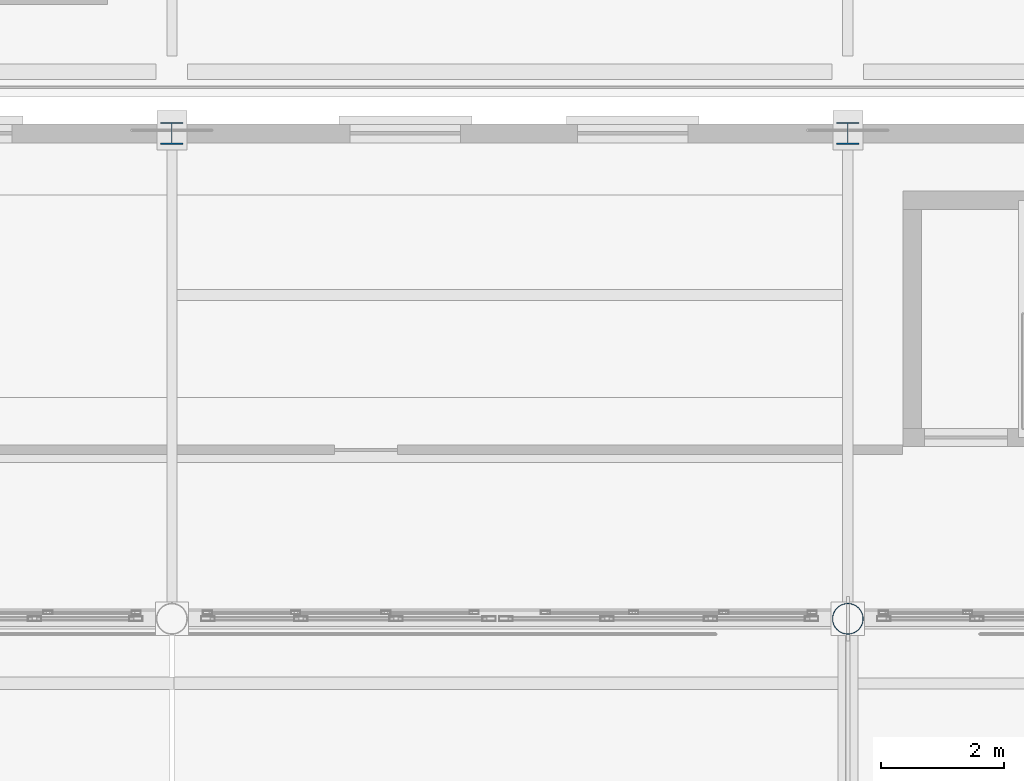
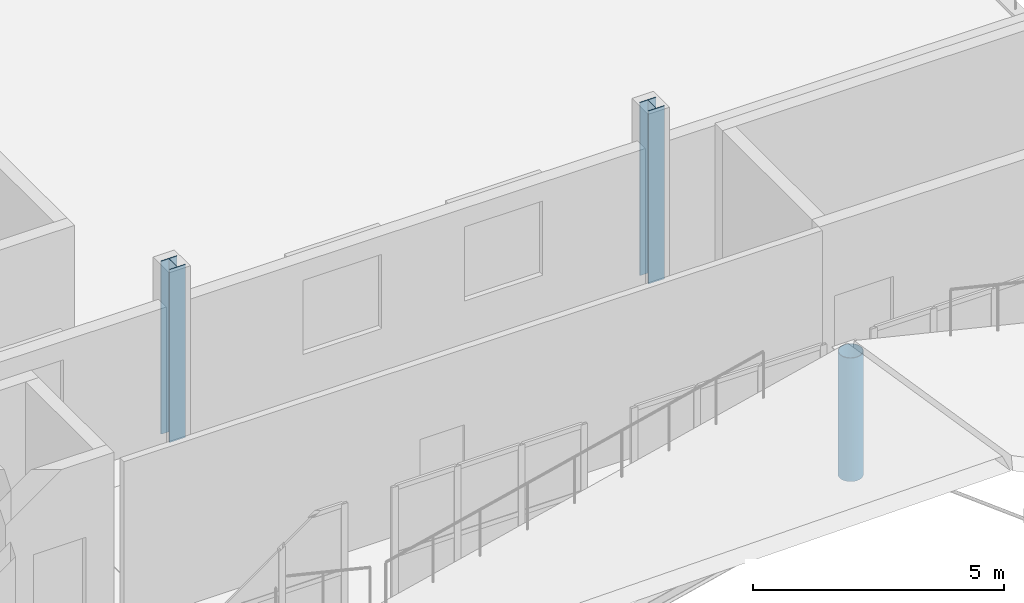
# One storey, part 7 of 120: 3 columns.
"""IFC4 building model written with IfcOpenShell, lengths in metres."""

from ifc_helpers import new_model, si_unit, direction, frame, origin, origin_2d, place, context, subcontext, project, spatial, hollow_circle, i_section, extrude, material, material_profile, profile_set, type_object, element, save


model = new_model("IFC4")

# Units and contexts
model_context = context("Model", 3, precision=1e-05, world=origin(), true_north=direction((0.0, 1.0)))
body_context = subcontext(model_context, "Body", "Model", "MODEL_VIEW")
ifc_project = project(units=[si_unit("LENGTHUNIT", "METRE"), si_unit("AREAUNIT", "SQUARE_METRE"), si_unit("VOLUMEUNIT", "CUBIC_METRE"), si_unit("PLANEANGLEUNIT", "RADIAN"), si_unit("MASSUNIT", "GRAM", prefix="KILO")], contexts=[model_context])

# Site, building, storey
site_placement = place(None, origin())
site = spatial("IfcSite", under=ifc_project, at=site_placement, CompositionType="ELEMENT")
building_placement = place(site_placement, origin())
building = spatial("IfcBuilding", under=site, at=building_placement, Name="Caurita Quay Ferry Terminal", CompositionType="ELEMENT")
storey_placement = place(building_placement, frame((0.0, 0.0, 9.89990234375)))
storey = spatial("IfcBuildingStorey", under=building, at=storey_placement, Name="L02", CompositionType="ELEMENT", Elevation=9.89990234375)

# Columns
ifc_material_1 = material(Name="Hollow structural steel ASTM A500 Gr. C", Category="steel")
ifc_material_profile_1 = material_profile(ifc_material_1, hollow_circle(Radius=0.25390625, WallThickness=0.01171875, at=origin_2d()), Name="HSS20.000X0.500")
ifc_profile_set_1 = profile_set([ifc_material_profile_1], Name="Hollow structural steel ASTM A500 Gr. C")
column_type_1 = type_object("IfcColumnType", Name="COL-MST-01", PredefinedType="COLUMN", material=ifc_profile_set_1)
column_placement = place(storey_placement, frame((121.199951171875, 62.699951171875, 0.0), z_axis=(0.0, 0.0, 1.0), x_axis=(1.0, 0.0, 0.0)))
element("IfcColumn", 1, at=column_placement, inside=storey, type_object=column_type_1, Name="L02 Column V2-MST-13-N", PredefinedType="COLUMN", context=body_context, shape_type="SweptSolid", body=[
    extrude(hollow_circle(Radius=0.25390625, WallThickness=0.01171875, at=origin_2d()), origin(), (0.0, 0.0, 1.0), 3.0),
])
ifc_material_2 = material(Name="Structural steel ASTM A992 Gr. 50", Category="steel")
ifc_material_profile_2 = material_profile(ifc_material_2, i_section(OverallWidth=0.367919921875, OverallDepth=0.35595703125, WebThickness=0.01123046875, FlangeThickness=0.01806640625, at=origin_2d()), Name="W14X90")
ifc_profile_set_2 = profile_set([ifc_material_profile_2], Name="Structural steel ASTM A992 Gr. 50")
column_type_2 = type_object("IfcColumnType", Name="COL-STL-09", PredefinedType="COLUMN", material=ifc_profile_set_2)
for number, where, z_axis, x_axis, name in (
    (2, (110.199951171875, 70.60009765625, 0.0), (0.0, 0.0, 1.0), (1.0, 0.0, 0.0), "L02 Column V2-NTH-12-K"),
    (3, (121.199951171875, 70.60009765625, 0.0), (0.0, 0.0, 1.0), (1.0, 0.0, 0.0), "L02 Column V2-NTH-13-K"),
):
    element("IfcColumn", number, at=place(storey_placement, frame(where, z_axis=z_axis, x_axis=x_axis)), inside=storey, type_object=column_type_2, Name=name, PredefinedType="COLUMN", context=body_context, shape_type="SweptSolid", body=[
        extrude(i_section(OverallWidth=0.367919921875, OverallDepth=0.35595703125, WebThickness=0.01123046875, FlangeThickness=0.01806640625, at=origin_2d()), origin(), (0.0, 0.0, 1.0), 4.2001953125),
    ])

save(model, "model.ifc")
